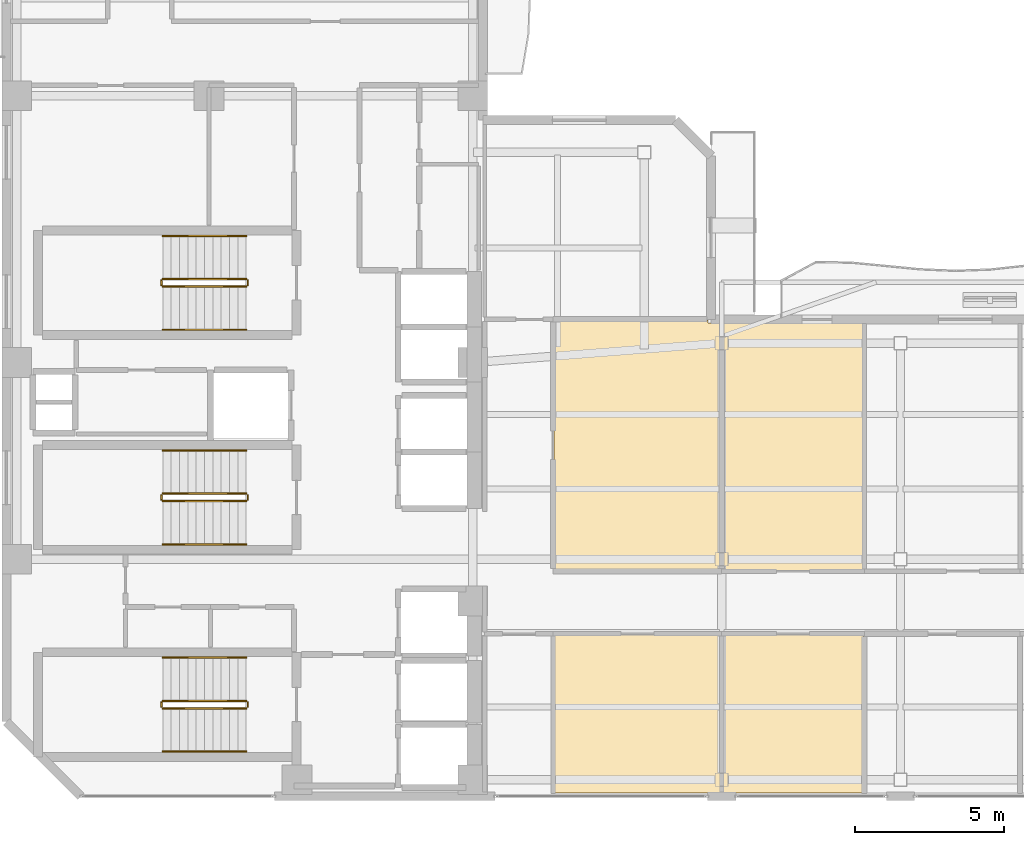
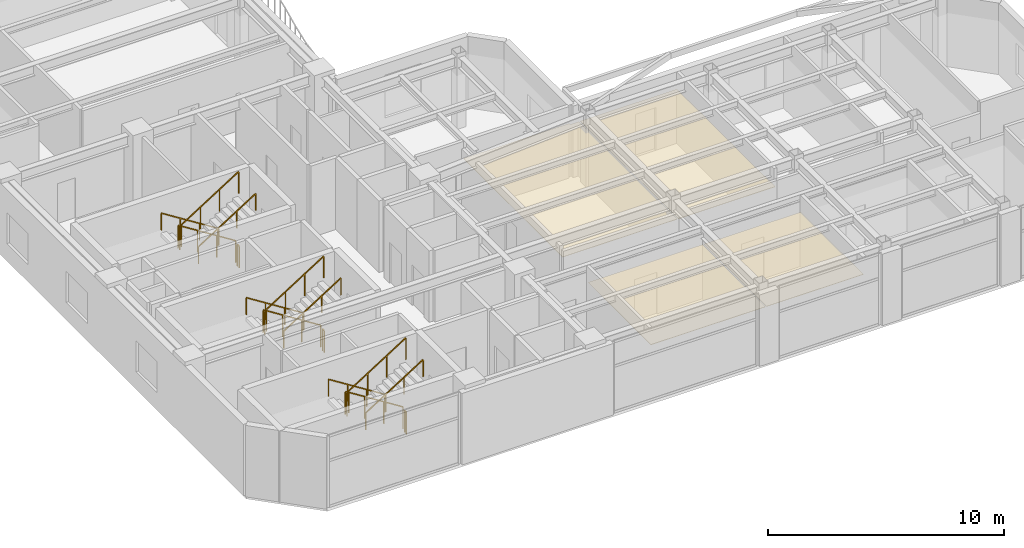
# One storey, part 13 of 15: 18 railings, 4 coverings.
"""IFC4 building model written with IfcOpenShell, lengths in metres."""

from ifc_helpers import new_model, si_unit, direction, frame, origin, origin_2d, place, context, subcontext, project, spatial, polyline, rectangle, outline, extrude, material, layer, layer_set, type_object, element, save


model = new_model("IFC4")

# Units and contexts
model_context = context("Model", 3, precision=1e-05, world=origin(), true_north=direction((0.0, 1.0)))
body_context = subcontext(model_context, "Body", "Model", "MODEL_VIEW")
ifc_project = project(units=[si_unit("LENGTHUNIT", "METRE"), si_unit("AREAUNIT", "SQUARE_METRE"), si_unit("VOLUMEUNIT", "CUBIC_METRE"), si_unit("PLANEANGLEUNIT", "RADIAN"), si_unit("MASSUNIT", "GRAM", prefix="KILO")], contexts=[model_context])

# Site, building, storey
site_placement = place(None, origin())
site = spatial("IfcSite", under=ifc_project, at=site_placement, CompositionType="ELEMENT")
building_placement = place(site_placement, origin())
building = spatial("IfcBuilding", under=site, at=building_placement, Name="Mawjaban Terraces University", CompositionType="ELEMENT")
storey_placement = place(building_placement, frame((0.0, 0.0, 207.0)))
storey = spatial("IfcBuildingStorey", under=building, at=storey_placement, Name="L50", CompositionType="ELEMENT", Elevation=207.0)

# Coverings
ifc_material_1 = material(Name="Acoustic mineral fibre ceiling tile", Category="masonry")
ifc_layer = layer(ifc_material_1, 0.02001953125)
ifc_layer_set = layer_set([ifc_layer], Name="Acoustic mineral fibre ceiling tile")
covering_type = type_object("IfcCoveringType", Name="AcousticMineralCeiling_20", PredefinedType="CEILING", material=ifc_layer_set)
covering_1_placement = place(storey_placement, frame((0.0, 0.0, 2.75)))
element("IfcCovering", 1, at=covering_1_placement, inside=storey, type_object=covering_type, Name="L50 Teaching Laboratory 2 Acoustic Ceiling", PredefinedType="CEILING", context=body_context, shape_type="SweptSolid", body=[
    extrude(outline(polyline([(40.3798828125, 0.114990234375), (45.969970703125, 0.114990234375), (45.969970703125, 5.419921875), (40.3798828125, 5.419921875), (40.3798828125, 0.114990234375)])), origin(), (0.0, 0.0, 1.0), 0.02001953125),
])
covering_2_placement = place(storey_placement, frame((0.0, 0.0, 2.75)))
element("IfcCovering", 2, at=covering_2_placement, inside=storey, type_object=covering_type, Name="L50 Design Studio 3 Acoustic Ceiling", PredefinedType="CEILING", context=body_context, shape_type="SweptSolid", body=[
    extrude(outline(polyline([(45.969970703125, 15.885009765625), (45.534912109375, 15.885009765625), (45.534912109375, 15.969970703125), (40.3798828125, 15.969970703125), (40.3798828125, 7.580078125), (45.969970703125, 7.580078125), (45.969970703125, 15.885009765625)])), origin(), (0.0, 0.0, 1.0), 0.02001953125),
])
covering_3_placement = place(storey_placement, frame((0.0, 0.0, 2.75)))
element("IfcCovering", 3, at=covering_3_placement, inside=storey, type_object=covering_type, Name="L50 Computational Laboratory 4 Acoustic Ceiling", PredefinedType="CEILING", context=body_context, shape_type="SweptSolid", body=[
    extrude(outline(polyline([(46.030029296875, 0.114990234375), (50.757080078125, 0.114990234375), (50.757080078125, 5.419921875), (46.030029296875, 5.419921875), (46.030029296875, 0.114990234375)])), origin(), (0.0, 0.0, 1.0), 0.02001953125),
])
covering_4_placement = place(storey_placement, frame((0.0, 0.0, 2.75)))
element("IfcCovering", 4, at=covering_4_placement, inside=storey, type_object=covering_type, Name="L50 Teaching Laboratory 5 Acoustic Ceiling", PredefinedType="CEILING", context=body_context, shape_type="SweptSolid", body=[
    extrude(outline(polyline([(50.757080078125, 15.885009765625), (46.030029296875, 15.885009765625), (46.030029296875, 7.580078125), (50.757080078125, 7.580078125), (50.757080078125, 15.885009765625)])), origin(), (0.0, 0.0, 1.0), 0.02001953125),
])

# Railings
ifc_material_2 = material(Name="Brushed stainless steel 316", Category="steel")
railing_type_1 = type_object("IfcRailingType", Name="StairWallHandrail_900", PredefinedType="HANDRAIL", material=ifc_material_2)
railing_1_placement = place(storey_placement, frame((30.050048828125, 4.64990234375, 0.17724609375)))
element("IfcRailing", 5, at=railing_1_placement, inside=storey, type_object=railing_type_1, Name="L50 ST-1 stair handrail 1", PredefinedType="HANDRAIL", context=body_context, shape_type="SweptSolid", body=[
    extrude(rectangle(XDim=0.048095703125, YDim=0.048095703125, at=origin_2d()), frame((0.0, 0.0, 0.8759765625), z_axis=(-0.844908973607, 0.0, 0.534910110503), x_axis=(0.0, -1.0, 0.0)), (0.0, 0.0, 1.0), 3.31396484375),
    extrude(rectangle(XDim=0.0419921875, YDim=0.0419921875, at=origin_2d()), origin(), (0.0, 0.0, 1.0), 0.851806640625),
    extrude(rectangle(XDim=0.0419921875, YDim=0.0419921875, at=origin_2d()), frame((-0.933349609375, 0.0, 0.5908203125)), (0.0, 0.0, 1.0), 0.851806640625),
    extrude(rectangle(XDim=0.0419921875, YDim=0.0419921875, at=origin_2d()), frame((-1.86669921875, 0.0, 1.181884765625)), (0.0, 0.0, 1.0), 0.851806640625),
    extrude(rectangle(XDim=0.0419921875, YDim=0.0419921875, at=origin_2d()), frame((-2.800048828125, 0.0, 1.772705078125)), (0.0, 0.0, 1.0), 0.851806640625),
])
railing_2_placement = place(storey_placement, frame((27.25, 1.5, 2.127197265625)))
element("IfcRailing", 6, at=railing_2_placement, inside=storey, type_object=railing_type_1, Name="L50 ST-1 stair handrail 2", PredefinedType="HANDRAIL", context=body_context, shape_type="SweptSolid", body=[
    extrude(rectangle(XDim=0.048095703125, YDim=0.048095703125, at=origin_2d()), frame((0.0, 0.0, 0.8759765625), z_axis=(0.844908973607, 0.0, 0.534910110503), x_axis=(0.0, 1.0, 0.0)), (0.0, 0.0, 1.0), 3.31396484375),
    extrude(rectangle(XDim=0.0419921875, YDim=0.0419921875, at=origin_2d()), origin(), (0.0, 0.0, 1.0), 0.851806640625),
    extrude(rectangle(XDim=0.0419921875, YDim=0.0419921875, at=origin_2d()), frame((0.933349609375, 0.0, 0.5908203125)), (0.0, 0.0, 1.0), 0.851806640625),
    extrude(rectangle(XDim=0.0419921875, YDim=0.0419921875, at=origin_2d()), frame((1.86669921875, 0.0, 1.181884765625)), (0.0, 0.0, 1.0), 0.851806640625),
    extrude(rectangle(XDim=0.0419921875, YDim=0.0419921875, at=origin_2d()), frame((2.800048828125, 0.0, 1.772705078125)), (0.0, 0.0, 1.0), 0.851806640625),
])
railing_3_placement = place(storey_placement, frame((30.050048828125, 18.800048828125, 0.17724609375)))
element("IfcRailing", 7, at=railing_3_placement, inside=storey, type_object=railing_type_1, Name="L50 ST-2 stair handrail 1", PredefinedType="HANDRAIL", context=body_context, shape_type="SweptSolid", body=[
    extrude(rectangle(XDim=0.048095703125, YDim=0.048095703125, at=origin_2d()), frame((0.0, 0.0, 0.8759765625), z_axis=(-0.844908973607, 0.0, 0.534910110503), x_axis=(0.0, -1.0, 0.0)), (0.0, 0.0, 1.0), 3.31396484375),
    extrude(rectangle(XDim=0.0419921875, YDim=0.0419921875, at=origin_2d()), origin(), (0.0, 0.0, 1.0), 0.851806640625),
    extrude(rectangle(XDim=0.0419921875, YDim=0.0419921875, at=origin_2d()), frame((-0.933349609375, 0.0, 0.5908203125)), (0.0, 0.0, 1.0), 0.851806640625),
    extrude(rectangle(XDim=0.0419921875, YDim=0.0419921875, at=origin_2d()), frame((-1.86669921875, 0.0, 1.181884765625)), (0.0, 0.0, 1.0), 0.851806640625),
    extrude(rectangle(XDim=0.0419921875, YDim=0.0419921875, at=origin_2d()), frame((-2.800048828125, 0.0, 1.772705078125)), (0.0, 0.0, 1.0), 0.851806640625),
])
railing_4_placement = place(storey_placement, frame((27.25, 15.64990234375, 2.127197265625)))
element("IfcRailing", 8, at=railing_4_placement, inside=storey, type_object=railing_type_1, Name="L50 ST-2 stair handrail 2", PredefinedType="HANDRAIL", context=body_context, shape_type="SweptSolid", body=[
    extrude(rectangle(XDim=0.048095703125, YDim=0.048095703125, at=origin_2d()), frame((0.0, 0.0, 0.8759765625), z_axis=(0.844908973607, 0.0, 0.534910110503), x_axis=(0.0, 1.0, 0.0)), (0.0, 0.0, 1.0), 3.31396484375),
    extrude(rectangle(XDim=0.0419921875, YDim=0.0419921875, at=origin_2d()), origin(), (0.0, 0.0, 1.0), 0.851806640625),
    extrude(rectangle(XDim=0.0419921875, YDim=0.0419921875, at=origin_2d()), frame((0.933349609375, 0.0, 0.5908203125)), (0.0, 0.0, 1.0), 0.851806640625),
    extrude(rectangle(XDim=0.0419921875, YDim=0.0419921875, at=origin_2d()), frame((1.86669921875, 0.0, 1.181884765625)), (0.0, 0.0, 1.0), 0.851806640625),
    extrude(rectangle(XDim=0.0419921875, YDim=0.0419921875, at=origin_2d()), frame((2.800048828125, 0.0, 1.772705078125)), (0.0, 0.0, 1.0), 0.851806640625),
])
railing_5_placement = place(storey_placement, frame((30.050048828125, 11.60009765625, 0.17724609375)))
element("IfcRailing", 9, at=railing_5_placement, inside=storey, type_object=railing_type_1, Name="L50 ST-3 stair handrail 1", PredefinedType="HANDRAIL", context=body_context, shape_type="SweptSolid", body=[
    extrude(rectangle(XDim=0.048095703125, YDim=0.048095703125, at=origin_2d()), frame((0.0, 0.0, 0.8759765625), z_axis=(-0.844908973607, 0.0, 0.534910110503), x_axis=(0.0, -1.0, 0.0)), (0.0, 0.0, 1.0), 3.31396484375),
    extrude(rectangle(XDim=0.0419921875, YDim=0.0419921875, at=origin_2d()), origin(), (0.0, 0.0, 1.0), 0.851806640625),
    extrude(rectangle(XDim=0.0419921875, YDim=0.0419921875, at=origin_2d()), frame((-0.933349609375, 0.0, 0.5908203125)), (0.0, 0.0, 1.0), 0.851806640625),
    extrude(rectangle(XDim=0.0419921875, YDim=0.0419921875, at=origin_2d()), frame((-1.86669921875, 0.0, 1.181884765625)), (0.0, 0.0, 1.0), 0.851806640625),
    extrude(rectangle(XDim=0.0419921875, YDim=0.0419921875, at=origin_2d()), frame((-2.800048828125, 0.0, 1.772705078125)), (0.0, 0.0, 1.0), 0.851806640625),
])
railing_6_placement = place(storey_placement, frame((27.25, 8.449951171875, 2.127197265625)))
element("IfcRailing", 10, at=railing_6_placement, inside=storey, type_object=railing_type_1, Name="L50 ST-3 stair handrail 2", PredefinedType="HANDRAIL", context=body_context, shape_type="SweptSolid", body=[
    extrude(rectangle(XDim=0.048095703125, YDim=0.048095703125, at=origin_2d()), frame((0.0, 0.0, 0.8759765625), z_axis=(0.844908973607, 0.0, 0.534910110503), x_axis=(0.0, 1.0, 0.0)), (0.0, 0.0, 1.0), 3.31396484375),
    extrude(rectangle(XDim=0.0419921875, YDim=0.0419921875, at=origin_2d()), origin(), (0.0, 0.0, 1.0), 0.851806640625),
    extrude(rectangle(XDim=0.0419921875, YDim=0.0419921875, at=origin_2d()), frame((0.933349609375, 0.0, 0.5908203125)), (0.0, 0.0, 1.0), 0.851806640625),
    extrude(rectangle(XDim=0.0419921875, YDim=0.0419921875, at=origin_2d()), frame((1.86669921875, 0.0, 1.181884765625)), (0.0, 0.0, 1.0), 0.851806640625),
    extrude(rectangle(XDim=0.0419921875, YDim=0.0419921875, at=origin_2d()), frame((2.800048828125, 0.0, 1.772705078125)), (0.0, 0.0, 1.0), 0.851806640625),
])
ifc_material_3 = material(Name="Galvanised painted steel S355", Category="steel")
railing_type_2 = type_object("IfcRailingType", Name="StairWellGuard_1150", PredefinedType="BALUSTRADE", material=ifc_material_3)
railing_7_placement = place(storey_placement, frame((30.050048828125, 3.199951171875, 0.17724609375)))
element("IfcRailing", 11, at=railing_7_placement, inside=storey, type_object=railing_type_2, Name="L50 ST-1 stair guard 1", PredefinedType="BALUSTRADE", context=body_context, shape_type="SweptSolid", body=[
    extrude(rectangle(XDim=0.048095703125, YDim=0.048095703125, at=origin_2d()), frame((0.0, 0.0, 1.1259765625), z_axis=(-0.844908973607, 0.0, 0.534910110503), x_axis=(0.0, -1.0, 0.0)), (0.0, 0.0, 1.0), 3.31396484375),
    extrude(rectangle(XDim=0.0419921875, YDim=0.0419921875, at=origin_2d()), origin(), (0.0, 0.0, 1.0), 1.101806640625),
    extrude(rectangle(XDim=0.0419921875, YDim=0.0419921875, at=origin_2d()), frame((-0.933349609375, 0.0, 0.5908203125)), (0.0, 0.0, 1.0), 1.101806640625),
    extrude(rectangle(XDim=0.0419921875, YDim=0.0419921875, at=origin_2d()), frame((-1.86669921875, 0.0, 1.181884765625)), (0.0, 0.0, 1.0), 1.101806640625),
    extrude(rectangle(XDim=0.0419921875, YDim=0.0419921875, at=origin_2d()), frame((-2.800048828125, 0.0, 1.772705078125)), (0.0, 0.0, 1.0), 1.101806640625),
])
railing_8_placement = place(storey_placement, frame((27.199951171875, 3.14990234375, 1.949951171875)))
element("IfcRailing", 12, at=railing_8_placement, inside=storey, type_object=railing_type_2, Name="L50 ST-1 stair guard 2", PredefinedType="BALUSTRADE", context=body_context, shape_type="SweptSolid", body=[
    extrude(rectangle(XDim=0.048095703125, YDim=0.048095703125, at=origin_2d()), frame((0.0, 0.0, 1.1259765625), z_axis=(0.0, -1.0, 0.0), x_axis=(1.0, 0.0, 0.0)), (0.0, 0.0, 1.0), 0.14990234375),
    extrude(rectangle(XDim=0.0419921875, YDim=0.0419921875, at=origin_2d()), origin(), (0.0, 0.0, 1.0), 1.101806640625),
    extrude(rectangle(XDim=0.0419921875, YDim=0.0419921875, at=origin_2d()), frame((0.0, -0.14990234375, 0.0)), (0.0, 0.0, 1.0), 1.101806640625),
])
railing_9_placement = place(storey_placement, frame((27.25, 2.949951171875, 2.127197265625)))
element("IfcRailing", 13, at=railing_9_placement, inside=storey, type_object=railing_type_2, Name="L50 ST-1 stair guard 3", PredefinedType="BALUSTRADE", context=body_context, shape_type="SweptSolid", body=[
    extrude(rectangle(XDim=0.048095703125, YDim=0.048095703125, at=origin_2d()), frame((0.0, 0.0, 1.1259765625), z_axis=(0.844908973607, 0.0, 0.534910110503), x_axis=(0.0, 1.0, 0.0)), (0.0, 0.0, 1.0), 3.31396484375),
    extrude(rectangle(XDim=0.0419921875, YDim=0.0419921875, at=origin_2d()), origin(), (0.0, 0.0, 1.0), 1.101806640625),
    extrude(rectangle(XDim=0.0419921875, YDim=0.0419921875, at=origin_2d()), frame((0.933349609375, 0.0, 0.5908203125)), (0.0, 0.0, 1.0), 1.101806640625),
    extrude(rectangle(XDim=0.0419921875, YDim=0.0419921875, at=origin_2d()), frame((1.86669921875, 0.0, 1.181884765625)), (0.0, 0.0, 1.0), 1.101806640625),
    extrude(rectangle(XDim=0.0419921875, YDim=0.0419921875, at=origin_2d()), frame((2.800048828125, 0.0, 1.772705078125)), (0.0, 0.0, 1.0), 1.101806640625),
])
railing_10_placement = place(storey_placement, frame((30.10009765625, 3.14990234375, 0.0)))
element("IfcRailing", 14, at=railing_10_placement, inside=storey, type_object=railing_type_2, Name="L50 ST-1 stair guard 4", PredefinedType="BALUSTRADE", context=body_context, shape_type="SweptSolid", body=[
    extrude(rectangle(XDim=0.048095703125, YDim=0.048095703125, at=origin_2d()), frame((0.0, 0.0, 1.1259765625), z_axis=(0.0, -1.0, 0.0), x_axis=(1.0, 0.0, 0.0)), (0.0, 0.0, 1.0), 0.14990234375),
    extrude(rectangle(XDim=0.0419921875, YDim=0.0419921875, at=origin_2d()), origin(), (0.0, 0.0, 1.0), 1.101806640625),
    extrude(rectangle(XDim=0.0419921875, YDim=0.0419921875, at=origin_2d()), frame((0.0, -0.14990234375, 0.0)), (0.0, 0.0, 1.0), 1.101806640625),
])
railing_11_placement = place(storey_placement, frame((30.050048828125, 17.35009765625, 0.17724609375)))
element("IfcRailing", 15, at=railing_11_placement, inside=storey, type_object=railing_type_2, Name="L50 ST-2 stair guard 1", PredefinedType="BALUSTRADE", context=body_context, shape_type="SweptSolid", body=[
    extrude(rectangle(XDim=0.048095703125, YDim=0.048095703125, at=origin_2d()), frame((0.0, 0.0, 1.1259765625), z_axis=(-0.844908973607, 0.0, 0.534910110503), x_axis=(0.0, -1.0, 0.0)), (0.0, 0.0, 1.0), 3.31396484375),
    extrude(rectangle(XDim=0.0419921875, YDim=0.0419921875, at=origin_2d()), origin(), (0.0, 0.0, 1.0), 1.101806640625),
    extrude(rectangle(XDim=0.0419921875, YDim=0.0419921875, at=origin_2d()), frame((-0.933349609375, 0.0, 0.5908203125)), (0.0, 0.0, 1.0), 1.101806640625),
    extrude(rectangle(XDim=0.0419921875, YDim=0.0419921875, at=origin_2d()), frame((-1.86669921875, 0.0, 1.181884765625)), (0.0, 0.0, 1.0), 1.101806640625),
    extrude(rectangle(XDim=0.0419921875, YDim=0.0419921875, at=origin_2d()), frame((-2.800048828125, 0.0, 1.772705078125)), (0.0, 0.0, 1.0), 1.101806640625),
])
railing_12_placement = place(storey_placement, frame((27.199951171875, 17.300048828125, 1.949951171875)))
element("IfcRailing", 16, at=railing_12_placement, inside=storey, type_object=railing_type_2, Name="L50 ST-2 stair guard 2", PredefinedType="BALUSTRADE", context=body_context, shape_type="SweptSolid", body=[
    extrude(rectangle(XDim=0.048095703125, YDim=0.048095703125, at=origin_2d()), frame((0.0, 0.0, 1.1259765625), z_axis=(0.0, -1.0, 0.0), x_axis=(1.0, 0.0, 0.0)), (0.0, 0.0, 1.0), 0.150146484375),
    extrude(rectangle(XDim=0.0419921875, YDim=0.0419921875, at=origin_2d()), origin(), (0.0, 0.0, 1.0), 1.101806640625),
    extrude(rectangle(XDim=0.0419921875, YDim=0.0419921875, at=origin_2d()), frame((0.0, -0.150146484375, 0.0)), (0.0, 0.0, 1.0), 1.101806640625),
])
railing_13_placement = place(storey_placement, frame((27.25, 17.10009765625, 2.127197265625)))
element("IfcRailing", 17, at=railing_13_placement, inside=storey, type_object=railing_type_2, Name="L50 ST-2 stair guard 3", PredefinedType="BALUSTRADE", context=body_context, shape_type="SweptSolid", body=[
    extrude(rectangle(XDim=0.048095703125, YDim=0.048095703125, at=origin_2d()), frame((0.0, 0.0, 1.1259765625), z_axis=(0.844908973607, 0.0, 0.534910110503), x_axis=(0.0, 1.0, 0.0)), (0.0, 0.0, 1.0), 3.31396484375),
    extrude(rectangle(XDim=0.0419921875, YDim=0.0419921875, at=origin_2d()), origin(), (0.0, 0.0, 1.0), 1.101806640625),
    extrude(rectangle(XDim=0.0419921875, YDim=0.0419921875, at=origin_2d()), frame((0.933349609375, 0.0, 0.5908203125)), (0.0, 0.0, 1.0), 1.101806640625),
    extrude(rectangle(XDim=0.0419921875, YDim=0.0419921875, at=origin_2d()), frame((1.86669921875, 0.0, 1.181884765625)), (0.0, 0.0, 1.0), 1.101806640625),
    extrude(rectangle(XDim=0.0419921875, YDim=0.0419921875, at=origin_2d()), frame((2.800048828125, 0.0, 1.772705078125)), (0.0, 0.0, 1.0), 1.101806640625),
])
railing_14_placement = place(storey_placement, frame((30.10009765625, 17.300048828125, 0.0)))
element("IfcRailing", 18, at=railing_14_placement, inside=storey, type_object=railing_type_2, Name="L50 ST-2 stair guard 4", PredefinedType="BALUSTRADE", context=body_context, shape_type="SweptSolid", body=[
    extrude(rectangle(XDim=0.048095703125, YDim=0.048095703125, at=origin_2d()), frame((0.0, 0.0, 1.1259765625), z_axis=(0.0, -1.0, 0.0), x_axis=(1.0, 0.0, 0.0)), (0.0, 0.0, 1.0), 0.150146484375),
    extrude(rectangle(XDim=0.0419921875, YDim=0.0419921875, at=origin_2d()), origin(), (0.0, 0.0, 1.0), 1.101806640625),
    extrude(rectangle(XDim=0.0419921875, YDim=0.0419921875, at=origin_2d()), frame((0.0, -0.150146484375, 0.0)), (0.0, 0.0, 1.0), 1.101806640625),
])
railing_15_placement = place(storey_placement, frame((30.050048828125, 10.14990234375, 0.17724609375)))
element("IfcRailing", 19, at=railing_15_placement, inside=storey, type_object=railing_type_2, Name="L50 ST-3 stair guard 1", PredefinedType="BALUSTRADE", context=body_context, shape_type="SweptSolid", body=[
    extrude(rectangle(XDim=0.048095703125, YDim=0.048095703125, at=origin_2d()), frame((0.0, 0.0, 1.1259765625), z_axis=(-0.844908973607, 0.0, 0.534910110503), x_axis=(0.0, -1.0, 0.0)), (0.0, 0.0, 1.0), 3.31396484375),
    extrude(rectangle(XDim=0.0419921875, YDim=0.0419921875, at=origin_2d()), origin(), (0.0, 0.0, 1.0), 1.101806640625),
    extrude(rectangle(XDim=0.0419921875, YDim=0.0419921875, at=origin_2d()), frame((-0.933349609375, 0.0, 0.5908203125)), (0.0, 0.0, 1.0), 1.101806640625),
    extrude(rectangle(XDim=0.0419921875, YDim=0.0419921875, at=origin_2d()), frame((-1.86669921875, 0.0, 1.181884765625)), (0.0, 0.0, 1.0), 1.101806640625),
    extrude(rectangle(XDim=0.0419921875, YDim=0.0419921875, at=origin_2d()), frame((-2.800048828125, 0.0, 1.772705078125)), (0.0, 0.0, 1.0), 1.101806640625),
])
railing_16_placement = place(storey_placement, frame((27.199951171875, 10.10009765625, 1.949951171875)))
element("IfcRailing", 20, at=railing_16_placement, inside=storey, type_object=railing_type_2, Name="L50 ST-3 stair guard 2", PredefinedType="BALUSTRADE", context=body_context, shape_type="SweptSolid", body=[
    extrude(rectangle(XDim=0.048095703125, YDim=0.048095703125, at=origin_2d()), frame((0.0, 0.0, 1.1259765625), z_axis=(0.0, -1.0, 0.0), x_axis=(1.0, 0.0, 0.0)), (0.0, 0.0, 1.0), 0.150146484375),
    extrude(rectangle(XDim=0.0419921875, YDim=0.0419921875, at=origin_2d()), origin(), (0.0, 0.0, 1.0), 1.101806640625),
    extrude(rectangle(XDim=0.0419921875, YDim=0.0419921875, at=origin_2d()), frame((0.0, -0.150146484375, 0.0)), (0.0, 0.0, 1.0), 1.101806640625),
])
railing_17_placement = place(storey_placement, frame((27.25, 9.89990234375, 2.127197265625)))
element("IfcRailing", 21, at=railing_17_placement, inside=storey, type_object=railing_type_2, Name="L50 ST-3 stair guard 3", PredefinedType="BALUSTRADE", context=body_context, shape_type="SweptSolid", body=[
    extrude(rectangle(XDim=0.048095703125, YDim=0.048095703125, at=origin_2d()), frame((0.0, 0.0, 1.1259765625), z_axis=(0.844908973607, 0.0, 0.534910110503), x_axis=(0.0, 1.0, 0.0)), (0.0, 0.0, 1.0), 3.31396484375),
    extrude(rectangle(XDim=0.0419921875, YDim=0.0419921875, at=origin_2d()), origin(), (0.0, 0.0, 1.0), 1.101806640625),
    extrude(rectangle(XDim=0.0419921875, YDim=0.0419921875, at=origin_2d()), frame((0.933349609375, 0.0, 0.5908203125)), (0.0, 0.0, 1.0), 1.101806640625),
    extrude(rectangle(XDim=0.0419921875, YDim=0.0419921875, at=origin_2d()), frame((1.86669921875, 0.0, 1.181884765625)), (0.0, 0.0, 1.0), 1.101806640625),
    extrude(rectangle(XDim=0.0419921875, YDim=0.0419921875, at=origin_2d()), frame((2.800048828125, 0.0, 1.772705078125)), (0.0, 0.0, 1.0), 1.101806640625),
])
railing_18_placement = place(storey_placement, frame((30.10009765625, 10.10009765625, 0.0)))
element("IfcRailing", 22, at=railing_18_placement, inside=storey, type_object=railing_type_2, Name="L50 ST-3 stair guard 4", PredefinedType="BALUSTRADE", context=body_context, shape_type="SweptSolid", body=[
    extrude(rectangle(XDim=0.048095703125, YDim=0.048095703125, at=origin_2d()), frame((0.0, 0.0, 1.1259765625), z_axis=(0.0, -1.0, 0.0), x_axis=(1.0, 0.0, 0.0)), (0.0, 0.0, 1.0), 0.150146484375),
    extrude(rectangle(XDim=0.0419921875, YDim=0.0419921875, at=origin_2d()), origin(), (0.0, 0.0, 1.0), 1.101806640625),
    extrude(rectangle(XDim=0.0419921875, YDim=0.0419921875, at=origin_2d()), frame((0.0, -0.150146484375, 0.0)), (0.0, 0.0, 1.0), 1.101806640625),
])

save(model, "model.ifc")
